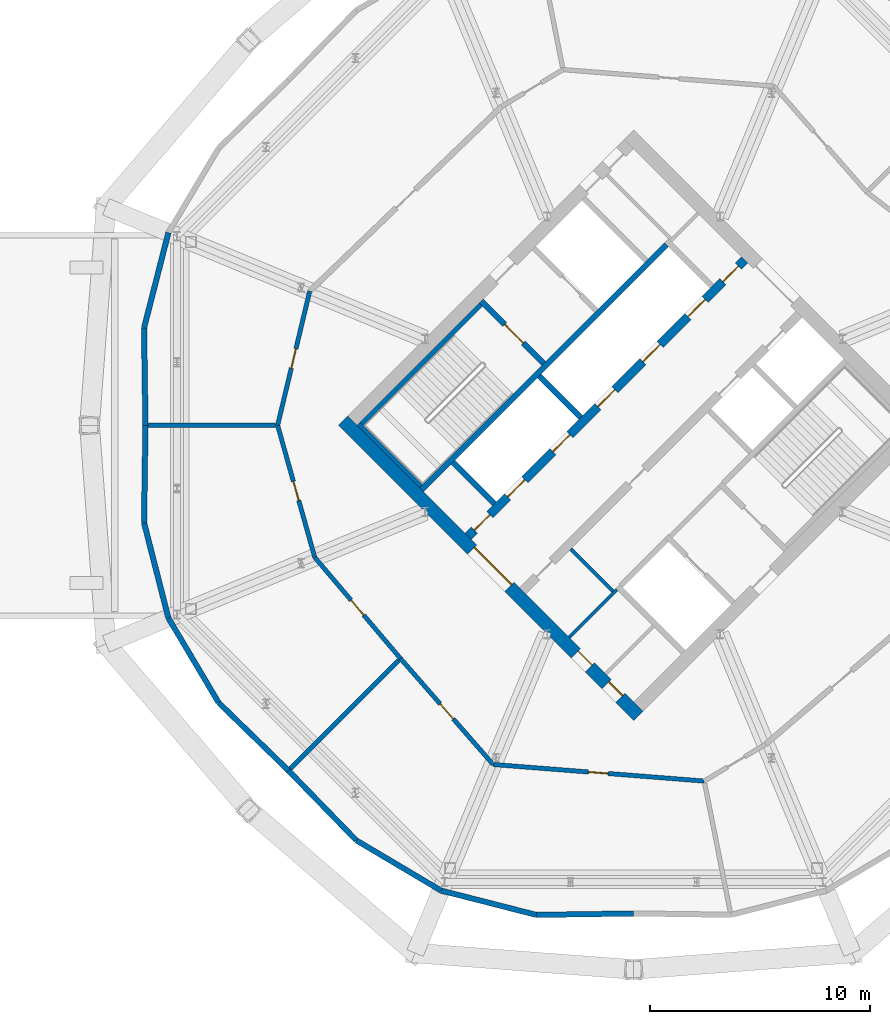
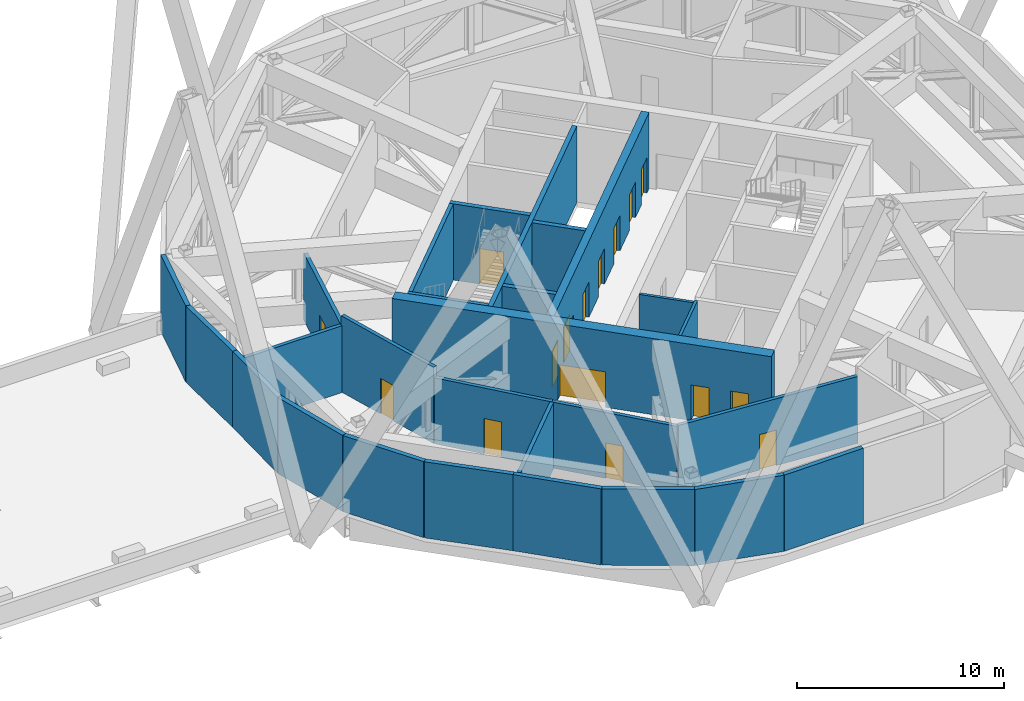
# One storey, part 15 of 20: 27 walls, 16 doors, 16 openings.
"""IFC4 building model written with IfcOpenShell, lengths in metres."""

from ifc_helpers import new_model, si_unit, direction, frame, frame_2d, origin, place, context, subcontext, project, spatial, rectangle, extrude, material, layer, layer_set, type_object, element, fill, save


model = new_model("IFC4")

# Units and contexts
model_context = context("Model", 3, precision=1e-05, world=origin(), true_north=direction((0.0, 1.0)))
body_context = subcontext(model_context, "Body", "Model", "MODEL_VIEW")
ifc_project = project(units=[si_unit("LENGTHUNIT", "METRE"), si_unit("AREAUNIT", "SQUARE_METRE"), si_unit("VOLUMEUNIT", "CUBIC_METRE"), si_unit("PLANEANGLEUNIT", "RADIAN"), si_unit("MASSUNIT", "GRAM", prefix="KILO")], contexts=[model_context])

# Site, building, storey
site_placement = place(None, origin())
site = spatial("IfcSite", under=ifc_project, at=site_placement, CompositionType="ELEMENT")
building_placement = place(site_placement, origin())
building = spatial("IfcBuilding", under=site, at=building_placement, Name="Ogive Gate Towers", CompositionType="ELEMENT")
storey_placement = place(building_placement, frame((0.0, 0.0, 160.800048828125)))
storey = spatial("IfcBuildingStorey", under=building, at=storey_placement, Name="L38", CompositionType="ELEMENT", Elevation=160.800048828125)

# Walls
ifc_material_1 = material(Name="Fire-rated block compartment wall")
ifc_layer_1 = layer(ifc_material_1, 0.199951171875)
ifc_layer_set_1 = layer_set([ifc_layer_1], Name="Compartment wall 200")
wall_type_1 = type_object("IfcWallType", Name="Compartment wall 200", PredefinedType="PARTITIONING", material=ifc_layer_set_1)
wall_1_placement = place(storey_placement, frame((13.760986328125, 0.0, 0.0), z_axis=(0.0, 0.0, 1.0), x_axis=(1.0, 0.0, 0.0)))
element("IfcWall", 1, at=wall_1_placement, inside=storey, type_object=wall_type_1, Name="Partition T2-L38-003", PredefinedType="PARTITIONING", context=body_context, shape_type="SweptSolid", body=[
    extrude(rectangle(XDim=5.93896484375, YDim=0.199951171875, at=frame_2d((2.969482421875, 0.0))), origin(), (0.0, 0.0, 1.0), 3.949951171875),
])
wall_2_placement = place(storey_placement, frame((20.274658203125, -15.725341796875, 0.0), z_axis=(0.0, 0.0, 1.0), x_axis=(0.707106781187, 0.707106781187, 0.0)))
element("IfcWall", 2, at=wall_2_placement, inside=storey, type_object=wall_type_1, Name="Partition T2-L38-004", PredefinedType="PARTITIONING", context=body_context, shape_type="SweptSolid", body=[
    extrude(rectangle(XDim=7.135986328125, YDim=0.199951171875, at=frame_2d((3.56787109375, 0.0))), origin(), (0.0, 0.0, 1.0), 3.89990234375),
])

# Wall, opening, door
wall_3_placement = place(storey_placement, frame((29.607666015625, -15.432373046875, 0.0), z_axis=(0.0, 0.0, 1.0), x_axis=(0.996924770131, -0.078364550016, 0.0)))
wall_3 = element("IfcWall", 3, at=wall_3_placement, inside=storey, type_object=wall_type_1, Name="Partition T2-L38-007", PredefinedType="PARTITIONING", context=body_context, shape_type="SweptSolid", body=[
    extrude(rectangle(XDim=9.635986328125, YDim=0.199951171875, at=frame_2d((4.81787109375, 0.0))), origin(), (0.0, 0.0, 1.0), 3.949951171875),
])
opening_1_placement = place(wall_3_placement, frame((4.35009765625, 0.0, 0.0)))
opening_1 = element("IfcOpeningElement", 4, at=opening_1_placement, cuts=wall_3, Name="Opening T2-L38-D01", PredefinedType="OPENING", context=body_context, shape_type="SweptSolid", body=[
    extrude(rectangle(XDim=0.89990234375, YDim=2.10009765625, at=frame_2d((0.449951171875, 1.050048828125))), frame((0.0, 0.10986328125, 0.0), z_axis=(0.0, -1.0, 0.0), x_axis=(1.0, 0.0, 0.0)), (0.0, 0.0, 1.0), 0.219970703125),
])
ifc_material_2 = material(Name="Steel fire door", Category="steel")
door_type_1 = type_object("IfcDoorType", Name="Fire door 900 FD30S", OperationType="NOTDEFINED", PredefinedType="DOOR", material=ifc_material_2)
door_1_placement = place(opening_1_placement, origin())
door_1 = element("IfcDoor", 5, at=door_1_placement, inside=storey, type_object=door_type_1, Name="Door T2-L38-D01", OperationType="SINGLE_SWING_RIGHT", OverallHeight=2.10009765625, OverallWidth=0.89990234375, PredefinedType="DOOR", context=body_context, shape_type="SweptSolid", body=[
    extrude(rectangle(XDim=0.89990234375, YDim=2.10009765625, at=frame_2d((0.449951171875, 1.050048828125))), frame((0.0, 0.02490234375, 0.0), z_axis=(0.0, -1.0, 0.0), x_axis=(1.0, 0.0, 0.0)), (0.0, 0.0, 1.0), 0.050048828125),
])
fill(opening_1, door_1)

wall_4_placement = place(storey_placement, frame((21.260498046875, 6.105224609375, 0.0), z_axis=(0.0, 0.0, 1.0), x_axis=(-0.23264918749, -0.972560720757, 0.0)))
wall_4 = element("IfcWall", 6, at=wall_4_placement, inside=storey, type_object=wall_type_1, Name="Partition T2-L38-017", PredefinedType="PARTITIONING", context=body_context, shape_type="SweptSolid", body=[
    extrude(rectangle(XDim=6.277587890625, YDim=0.199951171875, at=frame_2d((3.138671875, 0.0))), origin(), (0.0, 0.0, 1.0), 3.949951171875),
])
opening_2_placement = place(wall_4_placement, frame((2.699951171875, 0.0, 0.0)))
opening_2 = element("IfcOpeningElement", 7, at=opening_2_placement, cuts=wall_4, Name="Opening T2-L38-D11", PredefinedType="OPENING", context=body_context, shape_type="SweptSolid", body=[
    extrude(rectangle(XDim=0.89990234375, YDim=2.10009765625, at=frame_2d((0.449951171875, 1.050048828125))), frame((0.0, 0.10986328125, 0.0), z_axis=(0.0, -1.0, 0.0), x_axis=(1.0, 0.0, 0.0)), (0.0, 0.0, 1.0), 0.219970703125),
])
door_2_placement = place(opening_2_placement, origin())
door_2 = element("IfcDoor", 8, at=door_2_placement, inside=storey, type_object=door_type_1, Name="Door T2-L38-D11", OperationType="SINGLE_SWING_RIGHT", OverallHeight=2.10009765625, OverallWidth=0.89990234375, PredefinedType="DOOR", context=body_context, shape_type="SweptSolid", body=[
    extrude(rectangle(XDim=0.89990234375, YDim=2.10009765625, at=frame_2d((0.449951171875, 1.050048828125))), frame((0.0, 0.02490234375, 0.0), z_axis=(0.0, -1.0, 0.0), x_axis=(1.0, 0.0, 0.0)), (0.0, 0.0, 1.0), 0.050048828125),
])
fill(opening_2, door_2)

wall_5_placement = place(storey_placement, frame((19.800048828125, 0.0, 0.0), z_axis=(0.0, 0.0, 1.0), x_axis=(0.270927902608, -0.962599642421, 0.0)))
wall_5 = element("IfcWall", 9, at=wall_5_placement, inside=storey, type_object=wall_type_1, Name="Partition T2-L38-018", PredefinedType="PARTITIONING", context=body_context, shape_type="SweptSolid", body=[
    extrude(rectangle(XDim=6.242919921875, YDim=0.199951171875, at=frame_2d((3.12158203125, 0.0))), origin(), (0.0, 0.0, 1.0), 4.5),
])
opening_3_placement = place(wall_5_placement, frame((2.64990234375, 0.0, 0.0)))
opening_3 = element("IfcOpeningElement", 10, at=opening_3_placement, cuts=wall_5, Name="Opening T2-L38-D12", PredefinedType="OPENING", context=body_context, shape_type="SweptSolid", body=[
    extrude(rectangle(XDim=0.89990234375, YDim=2.10009765625, at=frame_2d((0.449951171875, 1.050048828125))), frame((0.0, 0.10986328125, 0.0), z_axis=(0.0, -1.0, 0.0), x_axis=(1.0, 0.0, 0.0)), (0.0, 0.0, 1.0), 0.219970703125),
])
door_3_placement = place(opening_3_placement, origin())
door_3 = element("IfcDoor", 11, at=door_3_placement, inside=storey, type_object=door_type_1, Name="Door T2-L38-D12", OperationType="SINGLE_SWING_RIGHT", OverallHeight=2.10009765625, OverallWidth=0.89990234375, PredefinedType="DOOR", context=body_context, shape_type="SweptSolid", body=[
    extrude(rectangle(XDim=0.89990234375, YDim=2.10009765625, at=frame_2d((0.449951171875, 1.050048828125))), frame((0.0, 0.02490234375, 0.0), z_axis=(0.0, -1.0, 0.0), x_axis=(1.0, 0.0, 0.0)), (0.0, 0.0, 1.0), 0.050048828125),
])
fill(opening_3, door_3)

wall_6_placement = place(storey_placement, frame((21.491455078125, -6.009521484375, 0.0), z_axis=(0.0, 0.0, 1.0), x_axis=(0.64674772293, -0.762703994276, 0.0)))
wall_6 = element("IfcWall", 12, at=wall_6_placement, inside=storey, type_object=wall_type_1, Name="Partition T2-L38-019", PredefinedType="PARTITIONING", context=body_context, shape_type="SweptSolid", body=[
    extrude(rectangle(XDim=6.030029296875, YDim=0.199951171875, at=frame_2d((3.01513671875, 0.0))), origin(), (0.0, 0.0, 1.0), 3.89990234375),
])
opening_4_placement = place(wall_6_placement, frame((2.550048828125, 0.0, 0.0)))
opening_4 = element("IfcOpeningElement", 13, at=opening_4_placement, cuts=wall_6, Name="Opening T2-L38-D13", PredefinedType="OPENING", context=body_context, shape_type="SweptSolid", body=[
    extrude(rectangle(XDim=0.89990234375, YDim=2.10009765625, at=frame_2d((0.449951171875, 1.050048828125))), frame((0.0, 0.10986328125, 0.0), z_axis=(0.0, -1.0, 0.0), x_axis=(1.0, 0.0, 0.0)), (0.0, 0.0, 1.0), 0.219970703125),
])
door_4_placement = place(opening_4_placement, origin())
door_4 = element("IfcDoor", 14, at=door_4_placement, inside=storey, type_object=door_type_1, Name="Door T2-L38-D13", OperationType="SINGLE_SWING_RIGHT", OverallHeight=2.10009765625, OverallWidth=0.89990234375, PredefinedType="DOOR", context=body_context, shape_type="SweptSolid", body=[
    extrude(rectangle(XDim=0.89990234375, YDim=2.10009765625, at=frame_2d((0.449951171875, 1.050048828125))), frame((0.0, 0.02490234375, 0.0), z_axis=(0.0, -1.0, 0.0), x_axis=(1.0, 0.0, 0.0)), (0.0, 0.0, 1.0), 0.050048828125),
])
fill(opening_4, door_4)

wall_7_placement = place(storey_placement, frame((25.391357421875, -10.608642578125, 0.0), z_axis=(0.0, 0.0, 1.0), x_axis=(0.658110631292, -0.752921242216, 0.0)))
wall_7 = element("IfcWall", 15, at=wall_7_placement, inside=storey, type_object=wall_type_1, Name="Partition T2-L38-020", PredefinedType="PARTITIONING", context=body_context, shape_type="SweptSolid", body=[
    extrude(rectangle(XDim=6.40673828125, YDim=0.199951171875, at=frame_2d((3.203369140625, 0.0))), origin(), (0.0, 0.0, 1.0), 3.89990234375),
])
opening_5_placement = place(wall_7_placement, frame((2.75, 0.0, 0.0)))
opening_5 = element("IfcOpeningElement", 16, at=opening_5_placement, cuts=wall_7, Name="Opening T2-L38-D14", PredefinedType="OPENING", context=body_context, shape_type="SweptSolid", body=[
    extrude(rectangle(XDim=0.89990234375, YDim=2.10009765625, at=frame_2d((0.449951171875, 1.050048828125))), frame((0.0, 0.10986328125, 0.0), z_axis=(0.0, -1.0, 0.0), x_axis=(1.0, 0.0, 0.0)), (0.0, 0.0, 1.0), 0.219970703125),
])
door_5_placement = place(opening_5_placement, origin())
door_5 = element("IfcDoor", 17, at=door_5_placement, inside=storey, type_object=door_type_1, Name="Door T2-L38-D14", OperationType="SINGLE_SWING_RIGHT", OverallHeight=2.10009765625, OverallWidth=0.89990234375, PredefinedType="DOOR", context=body_context, shape_type="SweptSolid", body=[
    extrude(rectangle(XDim=0.89990234375, YDim=2.10009765625, at=frame_2d((0.449951171875, 1.050048828125))), frame((0.0, 0.02490234375, 0.0), z_axis=(0.0, -1.0, 0.0), x_axis=(1.0, 0.0, 0.0)), (0.0, 0.0, 1.0), 0.050048828125),
])
fill(opening_5, door_5)

# Wall, openings, doors
ifc_material_3 = material(Name="Concrete C60/75", Category="concrete")
ifc_layer_2 = layer(ifc_material_3, 0.60009765625)
ifc_layer_set_2 = layer_set([ifc_layer_2], Name="Core wall 600 mm")
wall_type_2 = type_object("IfcWallType", Name="Core wall 600 mm", PredefinedType="SHEAR", material=ifc_layer_set_2)
wall_8_placement = place(storey_placement, frame((36.212158203125, -13.222900390625, 0.0), z_axis=(0.0, 0.0, 1.0), x_axis=(-0.707106781187, 0.707106781187, 0.0)))
wall_8 = element("IfcWall", 18, at=wall_8_placement, inside=storey, type_object=wall_type_2, Name="T2 L38 Core wall 600 mm", PredefinedType="SHEAR", context=body_context, shape_type="SweptSolid", body=[
    extrude(rectangle(XDim=19.0, YDim=0.60009765625, at=frame_2d((9.5, 0.0))), origin(), (0.0, 0.0, 1.0), 4.5),
])
opening_6_placement = place(wall_8_placement, frame((8.300048828125, 0.0, 0.0)))
opening_6 = element("IfcOpeningElement", 19, at=opening_6_placement, cuts=wall_8, Name="Opening KD-T2-L38-01", PredefinedType="OPENING", context=body_context, shape_type="SweptSolid", body=[
    extrude(rectangle(XDim=2.39990234375, YDim=2.10009765625, at=frame_2d((1.199951171875, 1.050048828125))), frame((0.0, 0.31005859375, 0.0), z_axis=(0.0, -1.0, 0.0), x_axis=(1.0, 0.0, 0.0)), (0.0, 0.0, 1.0), 0.6201171875),
])
opening_7_placement = place(wall_8_placement, frame((1.14990234375, 0.0, 0.0)))
opening_7 = element("IfcOpeningElement", 20, at=opening_7_placement, cuts=wall_8, Name="Opening KD-T2-L38-22", PredefinedType="OPENING", context=body_context, shape_type="SweptSolid", body=[
    extrude(rectangle(XDim=0.89990234375, YDim=2.10009765625, at=frame_2d((0.449951171875, 1.050048828125))), frame((0.0, 0.31005859375, 0.0), z_axis=(0.0, -1.0, 0.0), x_axis=(1.0, 0.0, 0.0)), (0.0, 0.0, 1.0), 0.6201171875),
])
opening_8_placement = place(wall_8_placement, frame((3.125, 0.0, 0.0)))
opening_8 = element("IfcOpeningElement", 21, at=opening_8_placement, cuts=wall_8, Name="Opening KD-T2-L38-23", PredefinedType="OPENING", context=body_context, shape_type="SweptSolid", body=[
    extrude(rectangle(XDim=0.89990234375, YDim=2.10009765625, at=frame_2d((0.449951171875, 1.050048828125))), frame((0.0, 0.31005859375, 0.0), z_axis=(0.0, -1.0, 0.0), x_axis=(1.0, 0.0, 0.0)), (0.0, 0.0, 1.0), 0.6201171875),
])
door_type_2 = type_object("IfcDoorType", Name="Core door FD60S 900 x 2100", OperationType="NOTDEFINED", PredefinedType="DOOR", material=ifc_material_2)
door_6_placement = place(opening_7_placement, origin())
door_6 = element("IfcDoor", 22, at=door_6_placement, inside=storey, type_object=door_type_2, Name="T2 L38 Core door", OperationType="SINGLE_SWING_LEFT", OverallHeight=2.10009765625, OverallWidth=0.89990234375, PredefinedType="DOOR", context=body_context, shape_type="SweptSolid", body=[
    extrude(rectangle(XDim=0.89990234375, YDim=2.10009765625, at=frame_2d((0.449951171875, 1.050048828125))), frame((0.0, -0.125, 0.0), z_axis=(0.0, -1.0, 0.0), x_axis=(1.0, 0.0, 0.0)), (0.0, 0.0, 1.0), 0.050048828125),
])
fill(opening_7, door_6)
door_7_placement = place(opening_8_placement, origin())
door_7 = element("IfcDoor", 23, at=door_7_placement, inside=storey, type_object=door_type_2, Name="T2 L38 Core door", OperationType="SINGLE_SWING_RIGHT", OverallHeight=2.10009765625, OverallWidth=0.89990234375, PredefinedType="DOOR", context=body_context, shape_type="SweptSolid", body=[
    extrude(rectangle(XDim=0.89990234375, YDim=2.10009765625, at=frame_2d((0.449951171875, 1.050048828125))), frame((0.0, -0.125, 0.0), z_axis=(0.0, -1.0, 0.0), x_axis=(1.0, 0.0, 0.0)), (0.0, 0.0, 1.0), 0.050048828125),
])
fill(opening_8, door_7)
door_type_3 = type_object("IfcDoorType", Name="Core double door FD60S 2400 x 2100", OperationType="DOUBLE_DOOR_SINGLE_SWING", PredefinedType="DOOR", material=ifc_material_2)
door_8_placement = place(opening_6_placement, origin())
door_8 = element("IfcDoor", 24, at=door_8_placement, inside=storey, type_object=door_type_3, Name="T2 L38 Core door double", OperationType="DOUBLE_DOOR_SINGLE_SWING", OverallHeight=2.10009765625, OverallWidth=2.39990234375, PredefinedType="DOOR", context=body_context, shape_type="SweptSolid", body=[
    extrude(rectangle(XDim=2.39990234375, YDim=2.10009765625, at=frame_2d((1.199951171875, 1.050048828125))), frame((0.0, -0.125, 0.0), z_axis=(0.0, -1.0, 0.0), x_axis=(1.0, 0.0, 0.0)), (0.0, 0.0, 1.0), 0.050048828125),
])
fill(opening_6, door_8)

# Walls
ifc_material_4 = material(Name="Pale metal aluminium louvre", Category="aluminium")
ifc_layer_3 = layer(ifc_material_4, 0.25)
ifc_layer_set_3 = layer_set([ifc_layer_3], Name="Plant louvre wall")
wall_type_3 = type_object("IfcWallType", Name="Plant louvre wall", PredefinedType="SOLIDWALL", material=ifc_layer_set_3)
wall_9_placement = place(storey_placement, frame((14.82958984375, 8.76904296875, 0.0), z_axis=(0.0, 0.0, 1.0), x_axis=(-0.247526000192, -0.968881251356, 0.0)))
element("IfcWall", 25, at=wall_9_placement, inside=storey, type_object=wall_type_3, Name="Plant louvre wall", PredefinedType="SOLIDWALL", context=body_context, shape_type="SweptSolid", body=[
    extrude(rectangle(XDim=4.474853515625, YDim=0.25, at=frame_2d((2.2373046875, 0.0))), origin(), (0.0, 0.0, 1.0), 4.5),
])
wall_10_placement = place(storey_placement, frame((13.721923828125, 4.433349609375, 0.0), z_axis=(0.0, 0.0, 1.0), x_axis=(0.014206397031, -0.99989908405, 0.0)))
element("IfcWall", 26, at=wall_10_placement, inside=storey, type_object=wall_type_3, Name="Plant louvre wall", PredefinedType="SOLIDWALL", context=body_context, shape_type="SweptSolid", body=[
    extrude(rectangle(XDim=4.433837890625, YDim=0.25, at=frame_2d((2.216796875, 0.0))), origin(), (0.0, 0.0, 1.0), 4.5),
])
wall_11_placement = place(storey_placement, frame((14.82958984375, -8.76904296875, 0.0), z_axis=(0.0, 0.0, 1.0), x_axis=(0.510092473899, -0.860119566149, 0.0)))
element("IfcWall", 27, at=wall_11_placement, inside=storey, type_object=wall_type_3, Name="Plant louvre wall", PredefinedType="SOLIDWALL", context=body_context, shape_type="SweptSolid", body=[
    extrude(rectangle(XDim=4.47509765625, YDim=0.25, at=frame_2d((2.237548828125, 0.0))), origin(), (0.0, 0.0, 1.0), 4.5),
])
wall_12_placement = place(storey_placement, frame((17.1123046875, -12.6181640625, 0.0), z_axis=(0.0, 0.0, 1.0), x_axis=(0.717057604058, -0.69701391124, 0.0)))
element("IfcWall", 28, at=wall_12_placement, inside=storey, type_object=wall_type_3, Name="Plant louvre wall", PredefinedType="SOLIDWALL", context=body_context, shape_type="SweptSolid", body=[
    extrude(rectangle(XDim=4.43359375, YDim=0.25, at=frame_2d((2.216796875, 0.0))), origin(), (0.0, 0.0, 1.0), 4.5),
])
wall_13_placement = place(storey_placement, frame((13.784912109375, 0.0, 0.0), z_axis=(0.0, 0.0, 1.0), x_axis=(-0.014206397031, -0.99989908405, 0.0)))
element("IfcWall", 29, at=wall_13_placement, inside=storey, type_object=wall_type_3, Name="Plant louvre wall", PredefinedType="SOLIDWALL", context=body_context, shape_type="SweptSolid", body=[
    extrude(rectangle(XDim=4.433837890625, YDim=0.25, at=frame_2d((2.216796875, 0.0))), origin(), (0.0, 0.0, 1.0), 4.5),
])
wall_14_placement = place(storey_placement, frame((13.721923828125, -4.433349609375, 0.0), z_axis=(0.0, 0.0, 1.0), x_axis=(0.247526000192, -0.968881251356, 0.0)))
element("IfcWall", 30, at=wall_14_placement, inside=storey, type_object=wall_type_3, Name="Plant louvre wall", PredefinedType="SOLIDWALL", context=body_context, shape_type="SweptSolid", body=[
    extrude(rectangle(XDim=4.474853515625, YDim=0.25, at=frame_2d((2.2373046875, 0.0))), origin(), (0.0, 0.0, 1.0), 4.5),
])
wall_15_placement = place(storey_placement, frame((20.29150390625, -15.70849609375, 0.0), z_axis=(0.0, 0.0, 1.0), x_axis=(0.69701391124, -0.717057604058, 0.0)))
element("IfcWall", 31, at=wall_15_placement, inside=storey, type_object=wall_type_3, Name="Plant louvre wall", PredefinedType="SOLIDWALL", context=body_context, shape_type="SweptSolid", body=[
    extrude(rectangle(XDim=4.43359375, YDim=0.25, at=frame_2d((2.216796875, 0.0))), origin(), (0.0, 0.0, 1.0), 4.5),
])
wall_16_placement = place(storey_placement, frame((23.3818359375, -18.8876953125, 0.0), z_axis=(0.0, 0.0, 1.0), x_axis=(0.860119566149, -0.510092473899, 0.0)))
element("IfcWall", 32, at=wall_16_placement, inside=storey, type_object=wall_type_3, Name="Plant louvre wall", PredefinedType="SOLIDWALL", context=body_context, shape_type="SweptSolid", body=[
    extrude(rectangle(XDim=4.47509765625, YDim=0.25, at=frame_2d((2.237548828125, 0.0))), origin(), (0.0, 0.0, 1.0), 4.5),
])
wall_17_placement = place(storey_placement, frame((27.23095703125, -21.17041015625, 0.0), z_axis=(0.0, 0.0, 1.0), x_axis=(0.968881251356, -0.247526000192, 0.0)))
element("IfcWall", 33, at=wall_17_placement, inside=storey, type_object=wall_type_3, Name="Plant louvre wall", PredefinedType="SOLIDWALL", context=body_context, shape_type="SweptSolid", body=[
    extrude(rectangle(XDim=4.474853515625, YDim=0.25, at=frame_2d((2.2373046875, 0.0))), origin(), (0.0, 0.0, 1.0), 4.5),
])
wall_18_placement = place(storey_placement, frame((31.566650390625, -22.278076171875, 0.0), z_axis=(0.0, 0.0, 1.0), x_axis=(0.99989908405, 0.014206397031, 0.0)))
element("IfcWall", 34, at=wall_18_placement, inside=storey, type_object=wall_type_3, Name="Plant louvre wall", PredefinedType="SOLIDWALL", context=body_context, shape_type="SweptSolid", body=[
    extrude(rectangle(XDim=4.433837890625, YDim=0.25, at=frame_2d((2.216796875, 0.0))), origin(), (0.0, 0.0, 1.0), 4.5),
])
ifc_material_5 = material(Name="Gypsum board partition")
ifc_layer_4 = layer(ifc_material_5, 0.14990234375)
ifc_layer_set_4 = layer_set([ifc_layer_4], Name="Room partition 150 mm")
wall_type_4 = type_object("IfcWallType", Name="Room partition 150 mm", PredefinedType="PARTITIONING", material=ifc_layer_set_4)
wall_19_placement = place(storey_placement, frame((33.0654296875, -9.652099609375, 0.0), z_axis=(0.0, 0.0, 1.0), x_axis=(0.707146476181, 0.707067083964, 0.0)))
element("IfcWall", 35, at=wall_19_placement, inside=storey, type_object=wall_type_4, Name="T2 L38 Room partition 150 mm", PredefinedType="PARTITIONING", context=body_context, shape_type="SweptSolid", body=[
    extrude(rectangle(XDim=3.0751953125, YDim=0.14990234375, at=frame_2d((1.53759765625, 0.0))), origin(), (0.0, 0.0, 1.0), 4.5),
])
wall_20_placement = place(storey_placement, frame((35.06298828125, -7.54833984375, 0.0), z_axis=(0.0, 0.0, 1.0), x_axis=(-0.707106781187, 0.707106781187, 0.0)))
element("IfcWall", 36, at=wall_20_placement, inside=storey, type_object=wall_type_4, Name="T2 L38 Room partition 150 mm", PredefinedType="PARTITIONING", context=body_context, shape_type="SweptSolid", body=[
    extrude(rectangle(XDim=2.724853515625, YDim=0.14990234375, at=frame_2d((1.3623046875, 0.0))), origin(), (0.0, 0.0, 1.0), 4.5),
])
ifc_layer_5 = layer(ifc_material_3, 0.25)
ifc_layer_set_5 = layer_set([ifc_layer_5], Name="Shaft wall 250 mm")
wall_type_5 = type_object("IfcWallType", Name="Shaft wall 250 mm", PredefinedType="SHEAR", material=ifc_layer_set_5)
wall_21_placement = place(storey_placement, frame((26.347900390625, -2.9345703125, 0.0), z_axis=(0.0, 0.0, 1.0), x_axis=(0.707106781187, 0.707106781187, 0.0)))
element("IfcWall", 37, at=wall_21_placement, inside=storey, type_object=wall_type_5, Name="T2 L38 Shaft wall 250 mm", PredefinedType="SHEAR", context=body_context, shape_type="SweptSolid", body=[
    extrude(rectangle(XDim=15.775146484375, YDim=0.25, at=frame_2d((7.8876953125, 0.0))), origin(), (0.0, 0.0, 1.0), 4.5),
])
for number, where, z_axis, x_axis, name in (
    (38, (29.67138671875, -3.57080078125, 0.0), (0.0, 0.0, 1.0), (-0.707152414227, 0.707061145201, 0.0), "T2 L38 Shaft wall 250 mm"),
    (39, (33.595703125, 0.353515625, 0.0), (0.0, 0.0, 1.0), (-0.707061145201, 0.707152414227, 0.0), "T2 L38 Shaft wall 250 mm"),
):
    element("IfcWall", number, at=place(storey_placement, frame(where, z_axis=z_axis, x_axis=x_axis)), inside=storey, type_object=wall_type_5, Name=name, PredefinedType="SHEAR", context=body_context, shape_type="SweptSolid", body=[
        extrude(rectangle(XDim=2.675048828125, YDim=0.25, at=frame_2d((1.33740234375, 0.0))), origin(), (0.0, 0.0, 1.0), 4.5),
    ])

# Wall, opening, door
wall_22_placement = place(storey_placement, frame((31.91650390625, 2.810791015625, 0.0), z_axis=(0.0, 0.0, 1.0), x_axis=(-0.707106781187, 0.707106781187, 0.0)))
wall_22 = element("IfcWall", 40, at=wall_22_placement, inside=storey, type_object=wall_type_5, Name="T2 L38 Shaft wall 250 mm", PredefinedType="SHEAR", context=body_context, shape_type="SweptSolid", body=[
    extrude(rectangle(XDim=4.025146484375, YDim=0.25, at=frame_2d((2.0126953125, 0.0))), origin(), (0.0, 0.0, 1.0), 4.5),
])
opening_9_placement = place(wall_22_placement, frame((1.324951171875, 0.0, 0.0)))
opening_9 = element("IfcOpeningElement", 41, at=opening_9_placement, cuts=wall_22, Name="Opening KD-T2-L38-16", PredefinedType="OPENING", context=body_context, shape_type="SweptSolid", body=[
    extrude(rectangle(XDim=1.199951171875, YDim=2.10009765625, at=frame_2d((0.60009765625, 1.050048828125))), frame((0.0, 0.135009765625, 0.0), z_axis=(0.0, -1.0, 0.0), x_axis=(1.0, 0.0, 0.0)), (0.0, 0.0, 1.0), 0.27001953125),
])
door_type_4 = type_object("IfcDoorType", Name="Core door FD60S 1200 x 2100", OperationType="NOTDEFINED", PredefinedType="DOOR", material=ifc_material_2)
door_9_placement = place(opening_9_placement, origin())
door_9 = element("IfcDoor", 42, at=door_9_placement, inside=storey, type_object=door_type_4, Name="T2 L38 Stair door", OperationType="SINGLE_SWING_LEFT", OverallHeight=2.10009765625, OverallWidth=1.199951171875, PredefinedType="DOOR", context=body_context, shape_type="SweptSolid", body=[
    extrude(rectangle(XDim=1.199951171875, YDim=2.10009765625, at=frame_2d((0.60009765625, 1.050048828125))), frame((0.0, 0.02490234375, 0.0), z_axis=(0.0, -1.0, 0.0), x_axis=(1.0, 0.0, 0.0)), (0.0, 0.0, 1.0), 0.050048828125),
])
fill(opening_9, door_9)

# Wall, openings, doors
ifc_layer_6 = layer(ifc_material_3, 0.39990234375)
ifc_layer_set_6 = layer_set([ifc_layer_6], Name="Spine wall 400 mm")
wall_type_6 = type_object("IfcWallType", Name="Spine wall 400 mm", PredefinedType="SHEAR", material=ifc_layer_set_6)
wall_23_placement = place(storey_placement, frame((28.46923828125, -5.055908203125, 0.0), z_axis=(0.0, 0.0, 1.0), x_axis=(0.707106781187, 0.707106781187, 0.0)))
wall_23 = element("IfcWall", 43, at=wall_23_placement, inside=storey, type_object=wall_type_6, Name="T2 L38 Spine wall 400 mm", PredefinedType="SHEAR", context=body_context, shape_type="SweptSolid", body=[
    extrude(rectangle(XDim=17.80029296875, YDim=0.39990234375, at=frame_2d((8.900146484375, 0.0))), origin(), (0.0, 0.0, 1.0), 4.5),
])
opening_10_placement = place(wall_23_placement, frame((0.39990234375, 0.0, 0.0)))
opening_10 = element("IfcOpeningElement", 44, at=opening_10_placement, cuts=wall_23, Name="Opening KD-T2-L38-03", PredefinedType="OPENING", context=body_context, shape_type="SweptSolid", body=[
    extrude(rectangle(XDim=1.0, YDim=2.10009765625, at=frame_2d((0.5, 1.050048828125))), frame((0.0, 0.2099609375, 0.0), z_axis=(0.0, -1.0, 0.0), x_axis=(1.0, 0.0, 0.0)), (0.0, 0.0, 1.0), 0.419921875),
])
opening_11_placement = place(wall_23_placement, frame((2.550048828125, 0.0, 0.0)))
opening_11 = element("IfcOpeningElement", 45, at=opening_11_placement, cuts=wall_23, Name="Opening LD-T2-L38-04", PredefinedType="OPENING", context=body_context, shape_type="SweptSolid", body=[
    extrude(rectangle(XDim=1.10009765625, YDim=2.10009765625, at=frame_2d((0.550048828125, 1.050048828125))), frame((0.0, 0.2099609375, 0.0), z_axis=(0.0, -1.0, 0.0), x_axis=(1.0, 0.0, 0.0)), (0.0, 0.0, 1.0), 0.419921875),
])
opening_12_placement = place(wall_23_placement, frame((5.449951171875, 0.0, 0.0)))
opening_12 = element("IfcOpeningElement", 46, at=opening_12_placement, cuts=wall_23, Name="Opening LD-T2-L38-05", PredefinedType="OPENING", context=body_context, shape_type="SweptSolid", body=[
    extrude(rectangle(XDim=1.10009765625, YDim=2.10009765625, at=frame_2d((0.550048828125, 1.050048828125))), frame((0.0, 0.2099609375, 0.0), z_axis=(0.0, -1.0, 0.0), x_axis=(1.0, 0.0, 0.0)), (0.0, 0.0, 1.0), 0.419921875),
])
opening_13_placement = place(wall_23_placement, frame((8.35009765625, 0.0, 0.0)))
opening_13 = element("IfcOpeningElement", 47, at=opening_13_placement, cuts=wall_23, Name="Opening LD-T2-L38-06", PredefinedType="OPENING", context=body_context, shape_type="SweptSolid", body=[
    extrude(rectangle(XDim=1.10009765625, YDim=2.10009765625, at=frame_2d((0.550048828125, 1.050048828125))), frame((0.0, 0.2099609375, 0.0), z_axis=(0.0, -1.0, 0.0), x_axis=(1.0, 0.0, 0.0)), (0.0, 0.0, 1.0), 0.419921875),
])
opening_14_placement = place(wall_23_placement, frame((11.25, 0.0, 0.0)))
opening_14 = element("IfcOpeningElement", 48, at=opening_14_placement, cuts=wall_23, Name="Opening LD-T2-L38-07", PredefinedType="OPENING", context=body_context, shape_type="SweptSolid", body=[
    extrude(rectangle(XDim=1.10009765625, YDim=2.10009765625, at=frame_2d((0.550048828125, 1.050048828125))), frame((0.0, 0.2099609375, 0.0), z_axis=(0.0, -1.0, 0.0), x_axis=(1.0, 0.0, 0.0)), (0.0, 0.0, 1.0), 0.419921875),
])
opening_15_placement = place(wall_23_placement, frame((14.14990234375, 0.0, 0.0)))
opening_15 = element("IfcOpeningElement", 49, at=opening_15_placement, cuts=wall_23, Name="Opening LD-T2-L38-08", PredefinedType="OPENING", context=body_context, shape_type="SweptSolid", body=[
    extrude(rectangle(XDim=1.10009765625, YDim=2.10009765625, at=frame_2d((0.550048828125, 1.050048828125))), frame((0.0, 0.2099609375, 0.0), z_axis=(0.0, -1.0, 0.0), x_axis=(1.0, 0.0, 0.0)), (0.0, 0.0, 1.0), 0.419921875),
])
opening_16_placement = place(wall_23_placement, frame((16.39990234375, 0.0, 0.0)))
opening_16 = element("IfcOpeningElement", 50, at=opening_16_placement, cuts=wall_23, Name="Opening KD-T2-L38-09", PredefinedType="OPENING", context=body_context, shape_type="SweptSolid", body=[
    extrude(rectangle(XDim=1.0, YDim=2.10009765625, at=frame_2d((0.5, 1.050048828125))), frame((0.0, 0.2099609375, 0.0), z_axis=(0.0, -1.0, 0.0), x_axis=(1.0, 0.0, 0.0)), (0.0, 0.0, 1.0), 0.419921875),
])
door_type_5 = type_object("IfcDoorType", Name="Core door FD60S 1000 x 2100", OperationType="NOTDEFINED", PredefinedType="DOOR", material=ifc_material_2)
door_10_placement = place(opening_10_placement, origin())
door_10 = element("IfcDoor", 51, at=door_10_placement, inside=storey, type_object=door_type_5, Name="T2 L38 Core door", OperationType="SINGLE_SWING_RIGHT", OverallHeight=2.10009765625, OverallWidth=1.0, PredefinedType="DOOR", context=body_context, shape_type="SweptSolid", body=[
    extrude(rectangle(XDim=1.0, YDim=2.10009765625, at=frame_2d((0.5, 1.050048828125))), frame((0.0, 0.02490234375, 0.0), z_axis=(0.0, -1.0, 0.0), x_axis=(1.0, 0.0, 0.0)), (0.0, 0.0, 1.0), 0.050048828125),
])
fill(opening_10, door_10)
door_11_placement = place(opening_16_placement, origin())
door_11 = element("IfcDoor", 52, at=door_11_placement, inside=storey, type_object=door_type_5, Name="T2 L38 Core door", OperationType="SINGLE_SWING_RIGHT", OverallHeight=2.10009765625, OverallWidth=1.0, PredefinedType="DOOR", context=body_context, shape_type="SweptSolid", body=[
    extrude(rectangle(XDim=1.0, YDim=2.10009765625, at=frame_2d((0.5, 1.050048828125))), frame((0.0, 0.02490234375, 0.0), z_axis=(0.0, -1.0, 0.0), x_axis=(1.0, 0.0, 0.0)), (0.0, 0.0, 1.0), 0.050048828125),
])
fill(opening_16, door_11)
ifc_material_6 = material(Name="Stainless steel landing door", Category="steel")
door_type_6 = type_object("IfcDoorType", Name="Landing door 1100 x 2100", OperationType="SLIDING_TO_LEFT", PredefinedType="DOOR", material=ifc_material_6)
door_12_placement = place(opening_11_placement, origin())
door_12 = element("IfcDoor", 53, at=door_12_placement, inside=storey, type_object=door_type_6, Name="T2 L38 Lift landing door B1", OperationType="SLIDING_TO_LEFT", OverallHeight=2.10009765625, OverallWidth=1.10009765625, PredefinedType="DOOR", context=body_context, shape_type="SweptSolid", body=[
    extrude(rectangle(XDim=1.10009765625, YDim=2.10009765625, at=frame_2d((0.550048828125, 1.050048828125))), frame((0.0, 0.02490234375, 0.0), z_axis=(0.0, -1.0, 0.0), x_axis=(1.0, 0.0, 0.0)), (0.0, 0.0, 1.0), 0.050048828125),
])
fill(opening_11, door_12)
door_13_placement = place(opening_12_placement, origin())
door_13 = element("IfcDoor", 54, at=door_13_placement, inside=storey, type_object=door_type_6, Name="T2 L38 Lift landing door B2", OperationType="SLIDING_TO_LEFT", OverallHeight=2.10009765625, OverallWidth=1.10009765625, PredefinedType="DOOR", context=body_context, shape_type="SweptSolid", body=[
    extrude(rectangle(XDim=1.10009765625, YDim=2.10009765625, at=frame_2d((0.550048828125, 1.050048828125))), frame((0.0, 0.02490234375, 0.0), z_axis=(0.0, -1.0, 0.0), x_axis=(1.0, 0.0, 0.0)), (0.0, 0.0, 1.0), 0.050048828125),
])
fill(opening_12, door_13)
door_14_placement = place(opening_13_placement, origin())
door_14 = element("IfcDoor", 55, at=door_14_placement, inside=storey, type_object=door_type_6, Name="T2 L38 Lift landing door B3", OperationType="SLIDING_TO_LEFT", OverallHeight=2.10009765625, OverallWidth=1.10009765625, PredefinedType="DOOR", context=body_context, shape_type="SweptSolid", body=[
    extrude(rectangle(XDim=1.10009765625, YDim=2.10009765625, at=frame_2d((0.550048828125, 1.050048828125))), frame((0.0, 0.02490234375, 0.0), z_axis=(0.0, -1.0, 0.0), x_axis=(1.0, 0.0, 0.0)), (0.0, 0.0, 1.0), 0.050048828125),
])
fill(opening_13, door_14)
door_15_placement = place(opening_14_placement, origin())
door_15 = element("IfcDoor", 56, at=door_15_placement, inside=storey, type_object=door_type_6, Name="T2 L38 Lift landing door B4", OperationType="SLIDING_TO_LEFT", OverallHeight=2.10009765625, OverallWidth=1.10009765625, PredefinedType="DOOR", context=body_context, shape_type="SweptSolid", body=[
    extrude(rectangle(XDim=1.10009765625, YDim=2.10009765625, at=frame_2d((0.550048828125, 1.050048828125))), frame((0.0, 0.02490234375, 0.0), z_axis=(0.0, -1.0, 0.0), x_axis=(1.0, 0.0, 0.0)), (0.0, 0.0, 1.0), 0.050048828125),
])
fill(opening_14, door_15)
door_16_placement = place(opening_15_placement, origin())
door_16 = element("IfcDoor", 57, at=door_16_placement, inside=storey, type_object=door_type_6, Name="T2 L38 Lift landing door B5", OperationType="SLIDING_TO_LEFT", OverallHeight=2.10009765625, OverallWidth=1.10009765625, PredefinedType="DOOR", context=body_context, shape_type="SweptSolid", body=[
    extrude(rectangle(XDim=1.10009765625, YDim=2.10009765625, at=frame_2d((0.550048828125, 1.050048828125))), frame((0.0, 0.02490234375, 0.0), z_axis=(0.0, -1.0, 0.0), x_axis=(1.0, 0.0, 0.0)), (0.0, 0.0, 1.0), 0.050048828125),
])
fill(opening_15, door_16)

# Walls
ifc_layer_7 = layer(ifc_material_3, 0.199951171875)
ifc_layer_set_7 = layer_set([ifc_layer_7], Name="Stair wall 200 mm")
wall_type_7 = type_object("IfcWallType", Name="Stair wall 200 mm", PredefinedType="SHEAR", material=ifc_layer_set_7)
wall_24_placement = place(storey_placement, frame((23.62548828125, 0.07080078125, 0.0), z_axis=(0.0, 0.0, 1.0), x_axis=(0.707122685701, 0.707090876314, 0.0)))
element("IfcWall", 58, at=wall_24_placement, inside=storey, type_object=wall_type_7, Name="T2 L38 Stair wall 200 mm", PredefinedType="SHEAR", context=body_context, shape_type="SweptSolid", body=[
    extrude(rectangle(XDim=7.675048828125, YDim=0.199951171875, at=frame_2d((3.83740234375, 0.0))), origin(), (0.0, 0.0, 1.0), 4.5),
])
wall_25_placement = place(storey_placement, frame((26.330322265625, -2.775390625, 0.0), z_axis=(0.0, 0.0, 1.0), x_axis=(-0.707106781187, 0.707106781187, 0.0)))
element("IfcWall", 59, at=wall_25_placement, inside=storey, type_object=wall_type_7, Name="T2 L38 Stair wall 200 mm", PredefinedType="SHEAR", context=body_context, shape_type="SweptSolid", body=[
    extrude(rectangle(XDim=4.025146484375, YDim=0.199951171875, at=frame_2d((2.0126953125, 0.0))), origin(), (0.0, 0.0, 1.0), 4.5),
])

save(model, "model.ifc")
